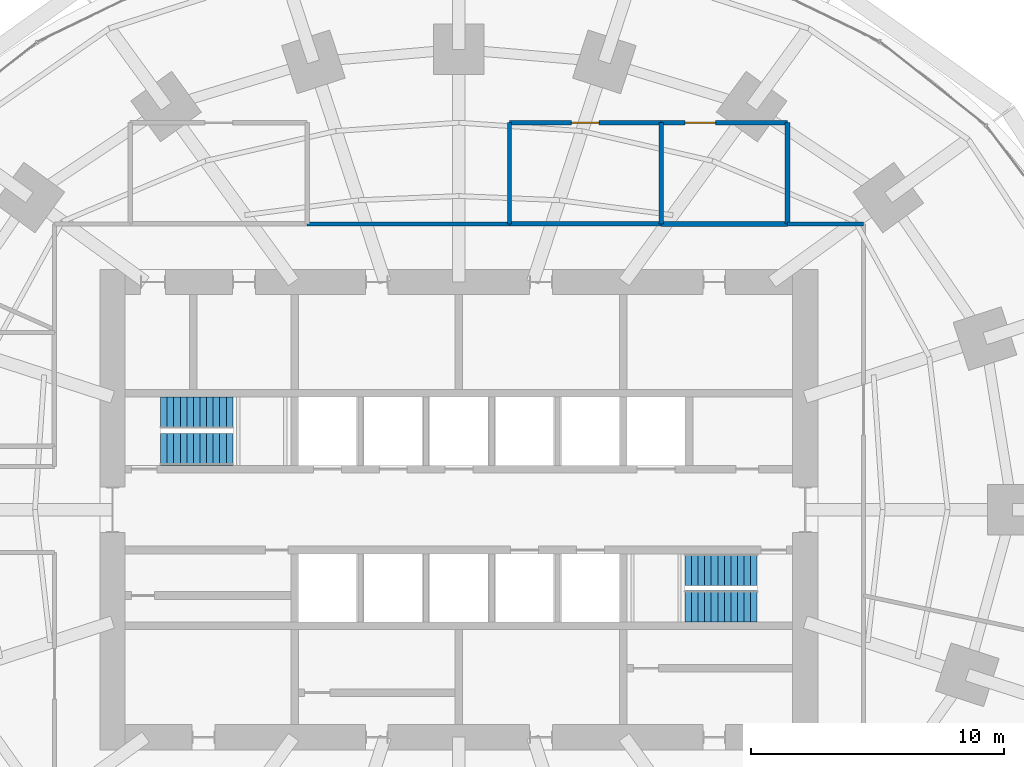
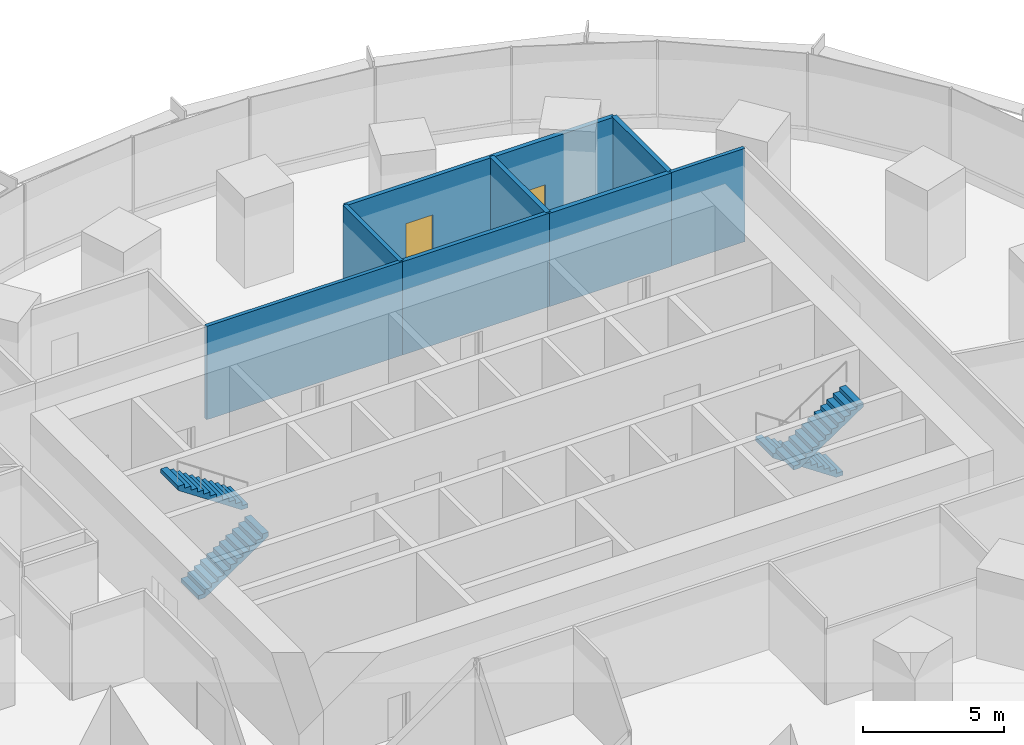
# One storey, part 13 of 15: 9 walls, 4 stair flights, 2 doors, 2 openings, 2 elements without a shape of their own.
"""IFC4 building model written with IfcOpenShell, lengths in metres."""

from ifc_helpers import new_model, si_unit, direction, frame, frame_2d, origin, place, context, subcontext, project, spatial, polyline, rectangle, outline, extrude, material, layer, layer_set, type_object, element, fill, aggregate, save


model = new_model("IFC4")

# Units and contexts
model_context = context("Model", 3, precision=1e-05, world=origin(), true_north=direction((0.0, 1.0)))
body_context = subcontext(model_context, "Body", "Model", "MODEL_VIEW")
ifc_project = project(units=[si_unit("LENGTHUNIT", "METRE"), si_unit("AREAUNIT", "SQUARE_METRE"), si_unit("VOLUMEUNIT", "CUBIC_METRE"), si_unit("PLANEANGLEUNIT", "RADIAN"), si_unit("MASSUNIT", "GRAM", prefix="KILO")], contexts=[model_context])

# Site, building, storey
site_placement = place(None, origin())
site = spatial("IfcSite", under=ifc_project, at=site_placement, CompositionType="ELEMENT")
building_placement = place(site_placement, origin())
building = spatial("IfcBuilding", under=site, at=building_placement, Name="Marramba Exchange Tower", CompositionType="ELEMENT")
storey_placement = place(building_placement, frame((0.0, 0.0, 40.60009765625)))
storey = spatial("IfcBuildingStorey", under=building, at=storey_placement, Name="L09", CompositionType="ELEMENT", Elevation=40.60009765625)

# Wall
ifc_material_1 = material(Name="Plasterboard on staggered double steel studs, acoustic insulation", Category="steel")
ifc_layer_1 = layer(ifc_material_1, 0.169921875)
ifc_layer_set_1 = layer_set([ifc_layer_1], Name="Acoustic partition 170")
wall_type_1 = type_object("IfcWallType", Name="Acoustic partition 170", PredefinedType="PARTITIONING", material=ifc_layer_set_1)
wall_1_placement = place(storey_placement, frame((2.0, 11.300048828125, 0.0), z_axis=(0.0, 0.0, 1.0), x_axis=(1.0, 0.0, 0.0)))
element("IfcWall", 1, at=wall_1_placement, inside=storey, type_object=wall_type_1, Name="Acoustic partition L09 21", PredefinedType="PARTITIONING", context=body_context, shape_type="SweptSolid", body=[
    extrude(rectangle(XDim=6.0, YDim=0.169921875, at=frame_2d((3.0, 0.0))), origin(), (0.0, 0.0, 1.0), 4.039794921875),
])

# Wall, opening, door
wall_2_placement = place(storey_placement, frame((8.0, 15.300048828125, 0.0), z_axis=(0.0, 0.0, 1.0), x_axis=(-1.0, 0.0, 0.0)))
wall_2 = element("IfcWall", 2, at=wall_2_placement, inside=storey, type_object=wall_type_1, Name="Acoustic partition L09 22", PredefinedType="PARTITIONING", context=body_context, shape_type="SweptSolid", body=[
    extrude(rectangle(XDim=6.0, YDim=0.169921875, at=frame_2d((3.0, 0.0))), origin(), (0.0, 0.0, 1.0), 4.039794921875),
])
opening_1_placement = place(wall_2_placement, frame((2.449951171875, 0.0, 0.0)))
opening_1 = element("IfcOpeningElement", 3, at=opening_1_placement, cuts=wall_2, Name="Opening D15", PredefinedType="OPENING", context=body_context, shape_type="SweptSolid", body=[
    extrude(rectangle(XDim=1.10009765625, YDim=2.39990234375, at=frame_2d((0.550048828125, 1.199951171875))), frame((0.0, 0.094970703125, 0.0), z_axis=(0.0, -1.0, 0.0), x_axis=(1.0, 0.0, 0.0)), (0.0, 0.0, 1.0), 0.18994140625),
])
ifc_material_2 = material(Name="Timber door", Category="wood")
door_type_1 = type_object("IfcDoorType", Name="Glazed meeting room door 1100x2400", OperationType="SINGLE_SWING_LEFT", PredefinedType="DOOR", material=ifc_material_2)
door_1_placement = place(opening_1_placement, origin())
door_1 = element("IfcDoor", 4, at=door_1_placement, inside=storey, type_object=door_type_1, Name="D15 Meeting Room 1 L09", OperationType="SINGLE_SWING_RIGHT", OverallHeight=2.39990234375, OverallWidth=1.10009765625, PredefinedType="DOOR", context=body_context, shape_type="SweptSolid", body=[
    extrude(rectangle(XDim=1.10009765625, YDim=2.39990234375, at=frame_2d((0.550048828125, 1.199951171875))), frame((0.0, 0.02490234375, 0.0), z_axis=(0.0, -1.0, 0.0), x_axis=(1.0, 0.0, 0.0)), (0.0, 0.0, 1.0), 0.050048828125),
])
fill(opening_1, door_1)

# Walls
wall_3_placement = place(storey_placement, frame((2.0, 15.300048828125, 0.0), z_axis=(0.0, 0.0, 1.0), x_axis=(0.0, -1.0, 0.0)))
element("IfcWall", 5, at=wall_3_placement, inside=storey, type_object=wall_type_1, Name="Acoustic partition L09 23", PredefinedType="PARTITIONING", context=body_context, shape_type="SweptSolid", body=[
    extrude(rectangle(XDim=4.0, YDim=0.169921875, at=frame_2d((2.0, 0.0))), origin(), (0.0, 0.0, 1.0), 4.039794921875),
])
ifc_material_3 = material(Name="Core-filled concrete blockwork, rendered", Category="masonry")
ifc_layer_2 = layer(ifc_material_3, 0.18994140625)
ifc_layer_set_2 = layer_set([ifc_layer_2], Name="Equipment room wall 190")
wall_type_2 = type_object("IfcWallType", Name="Equipment room wall 190", PredefinedType="SOLIDWALL", material=ifc_layer_set_2)
wall_4_placement = place(storey_placement, frame((13.0, 11.300048828125, 0.0), z_axis=(0.0, 0.0, 1.0), x_axis=(0.0, 1.0, 0.0)))
element("IfcWall", 6, at=wall_4_placement, inside=storey, type_object=wall_type_2, Name="Equipment room wall L09 17", PredefinedType="SOLIDWALL", context=body_context, shape_type="SweptSolid", body=[
    extrude(rectangle(XDim=4.0, YDim=0.18994140625, at=frame_2d((2.0, 0.0))), origin(), (0.0, 0.0, 1.0), 4.039794921875),
])
wall_5_placement = place(storey_placement, frame((8.0, 11.300048828125, 0.0), z_axis=(0.0, 0.0, 1.0), x_axis=(1.0, 0.0, 0.0)))
element("IfcWall", 7, at=wall_5_placement, inside=storey, type_object=wall_type_2, Name="Equipment room wall L09 18", PredefinedType="SOLIDWALL", context=body_context, shape_type="SweptSolid", body=[
    extrude(rectangle(XDim=5.0, YDim=0.18994140625, at=frame_2d((2.5, 0.0))), origin(), (0.0, 0.0, 1.0), 4.039794921875),
])

# Wall, opening, door
wall_6_placement = place(storey_placement, frame((13.0, 15.300048828125, 0.0), z_axis=(0.0, 0.0, 1.0), x_axis=(-1.0, 0.0, 0.0)))
wall_6 = element("IfcWall", 8, at=wall_6_placement, inside=storey, type_object=wall_type_2, Name="Equipment room wall L09 19", PredefinedType="SOLIDWALL", context=body_context, shape_type="SweptSolid", body=[
    extrude(rectangle(XDim=5.0, YDim=0.18994140625, at=frame_2d((2.5, 0.0))), origin(), (0.0, 0.0, 1.0), 4.039794921875),
])
opening_2_placement = place(wall_6_placement, frame((2.85009765625, 0.0, 0.0)))
opening_2 = element("IfcOpeningElement", 9, at=opening_2_placement, cuts=wall_6, Name="Opening D16", PredefinedType="OPENING", context=body_context, shape_type="SweptSolid", body=[
    extrude(rectangle(XDim=1.199951171875, YDim=2.10009765625, at=frame_2d((0.60009765625, 1.050048828125))), frame((0.0, 0.10498046875, 0.0), z_axis=(0.0, -1.0, 0.0), x_axis=(1.0, 0.0, 0.0)), (0.0, 0.0, 1.0), 0.2099609375),
])
ifc_material_4 = material(Name="Steel-framed door", Category="steel")
door_type_2 = type_object("IfcDoorType", Name="Equipment room door 1200x2100", OperationType="SINGLE_SWING_LEFT", PredefinedType="DOOR", material=ifc_material_4)
door_2_placement = place(opening_2_placement, origin())
door_2 = element("IfcDoor", 10, at=door_2_placement, inside=storey, type_object=door_type_2, Name="D16 Data Room 1 L09", OperationType="SINGLE_SWING_RIGHT", OverallHeight=2.10009765625, OverallWidth=1.199951171875, PredefinedType="DOOR", context=body_context, shape_type="SweptSolid", body=[
    extrude(rectangle(XDim=1.199951171875, YDim=2.10009765625, at=frame_2d((0.60009765625, 1.050048828125))), frame((0.0, 0.02490234375, 0.0), z_axis=(0.0, -1.0, 0.0), x_axis=(1.0, 0.0, 0.0)), (0.0, 0.0, 1.0), 0.050048828125),
])
fill(opening_2, door_2)

# Walls
wall_7_placement = place(storey_placement, frame((8.0, 15.300048828125, 0.0), z_axis=(0.0, 0.0, 1.0), x_axis=(0.0, -1.0, 0.0)))
element("IfcWall", 11, at=wall_7_placement, inside=storey, type_object=wall_type_2, Name="Equipment room wall L09 20", PredefinedType="SOLIDWALL", context=body_context, shape_type="SweptSolid", body=[
    extrude(rectangle(XDim=4.0, YDim=0.18994140625, at=frame_2d((2.0, 0.0))), origin(), (0.0, 0.0, 1.0), 4.039794921875),
])
ifc_material_5 = material(Name="Fire-rated plasterboard on steel studs, acoustic insulation", Category="steel")
ifc_layer_3 = layer(ifc_material_5, 0.14990234375)
ifc_layer_set_3 = layer_set([ifc_layer_3], Name="Tenancy wall 150")
wall_type_3 = type_object("IfcWallType", Name="Tenancy wall 150", PredefinedType="PARTITIONING", material=ifc_layer_set_3)
wall_8_placement = place(storey_placement, frame((16.0, 11.300048828125, 0.0), z_axis=(0.0, 0.0, 1.0), x_axis=(-1.0, 0.0, 0.0)))
element("IfcWall", 12, at=wall_8_placement, inside=storey, type_object=wall_type_3, Name="Tenancy wall L09 16", PredefinedType="PARTITIONING", context=body_context, shape_type="SweptSolid", body=[
    extrude(rectangle(XDim=3.0, YDim=0.14990234375, at=frame_2d((1.5, 0.0))), origin(), (0.0, 0.0, 1.0), 4.039794921875),
])
wall_9_placement = place(storey_placement, frame((2.0, 11.300048828125, 0.0), z_axis=(0.0, 0.0, 1.0), x_axis=(-1.0, 0.0, 0.0)))
element("IfcWall", 13, at=wall_9_placement, inside=storey, type_object=wall_type_3, Name="Tenancy wall L09 24", PredefinedType="PARTITIONING", context=body_context, shape_type="SweptSolid", body=[
    extrude(rectangle(XDim=8.0, YDim=0.14990234375, at=frame_2d((4.0, 0.0))), origin(), (0.0, 0.0, 1.0), 4.039794921875),
])

# Stair, stair flights
ifc_material_6 = material(Name="Concrete N40 (40 MPa)", Category="concrete")
stair_type_1 = type_object("IfcStairType", Name="Exit stair ST1 4200 x 1250", PredefinedType="HALF_TURN_STAIR", material=ifc_material_6)
stair_1_placement = place(storey_placement, origin())
stair_1 = element("IfcStair", 14, at=stair_1_placement, inside=storey, type_object=stair_type_1, Name="Exit stair ST1 L09", PredefinedType="HALF_TURN_STAIR")
stair_flight_type_1 = type_object("IfcStairFlightType", Name="ST1 stair flight 1750 riser 1250 wide", PredefinedType="STRAIGHT", material=ifc_material_6)
stair_flight_1_placement = place(storey_placement, frame((-11.800048828125, 2.375, 0.0), z_axis=(0.0, 0.0, 1.0), x_axis=(1.0, 0.0, 0.0)))
stair_flight_1 = element("IfcStairFlight", 15, at=stair_flight_1_placement, type_object=stair_flight_type_1, Name="ST1 flight 1", NumberOfRisers=12, NumberOfTreads=11, PredefinedType="STRAIGHT", RiserHeight=0.175, TreadLength=0.26, context=body_context, shape_type="SweptSolid", body=[
    extrude(outline(polyline([(0.0, 0.0), (0.0, 0.175048828125), (0.260009765625, 0.175048828125), (0.260009765625, 0.35009765625), (0.52001953125, 0.35009765625), (0.52001953125, 0.52490234375), (0.780029296875, 0.52490234375), (0.780029296875, 0.699951171875), (1.0400390625, 0.699951171875), (1.0400390625, 0.875), (1.300048828125, 0.875), (1.300048828125, 1.050048828125), (1.56005859375, 1.050048828125), (1.56005859375, 1.22509765625), (1.820068359375, 1.22509765625), (1.820068359375, 1.39990234375), (2.080078125, 1.39990234375), (2.080078125, 1.574951171875), (2.340087890625, 1.574951171875), (2.340087890625, 1.75), (2.60009765625, 1.75), (2.60009765625, 1.925048828125), (2.860107421875, 1.925048828125), (2.860107421875, 2.10009765625), (2.860107421875, 1.744384765625), (0.2685546875, 0.0), (0.0, 0.0)])), frame((0.0, 0.625, 0.0), z_axis=(0.0, -1.0, 0.0), x_axis=(1.0, 0.0, 0.0)), (0.0, 0.0, 1.0), 1.25),
])
stair_flight_2_placement = place(storey_placement, frame((-8.93994140625, 3.824951171875, 2.099853515625), z_axis=(0.0, 0.0, 1.0), x_axis=(-1.0, 0.0, 0.0)))
stair_flight_2 = element("IfcStairFlight", 16, at=stair_flight_2_placement, type_object=stair_flight_type_1, Name="ST1 flight 2", NumberOfRisers=12, NumberOfTreads=11, PredefinedType="STRAIGHT", RiserHeight=0.175, TreadLength=0.26, context=body_context, shape_type="SweptSolid", body=[
    extrude(outline(polyline([(0.0, 0.0), (0.0, 0.175048828125), (0.260009765625, 0.175048828125), (0.260009765625, 0.35009765625), (0.52001953125, 0.35009765625), (0.52001953125, 0.52490234375), (0.780029296875, 0.52490234375), (0.780029296875, 0.699951171875), (1.0400390625, 0.699951171875), (1.0400390625, 0.875), (1.300048828125, 0.875), (1.300048828125, 1.050048828125), (1.56005859375, 1.050048828125), (1.56005859375, 1.22509765625), (1.820068359375, 1.22509765625), (1.820068359375, 1.39990234375), (2.080078125, 1.39990234375), (2.080078125, 1.574951171875), (2.340087890625, 1.574951171875), (2.340087890625, 1.75), (2.60009765625, 1.75), (2.60009765625, 1.925048828125), (2.860107421875, 1.925048828125), (2.860107421875, 2.10009765625), (2.860107421875, 1.744384765625), (0.2685546875, 0.0), (0.0, 0.0)])), frame((0.0, 0.625, 0.0), z_axis=(0.0, -1.0, 0.0), x_axis=(1.0, 0.0, 0.0)), (0.0, 0.0, 1.0), 1.25),
])
aggregate(stair_1, [stair_flight_1, stair_flight_2])

stair_type_2 = type_object("IfcStairType", Name="Exit stair ST2 4200 x 1250", PredefinedType="HALF_TURN_STAIR", material=ifc_material_6)
stair_2_placement = place(storey_placement, origin())
stair_2 = element("IfcStair", 17, at=stair_2_placement, inside=storey, type_object=stair_type_2, Name="Exit stair ST2 L09", PredefinedType="HALF_TURN_STAIR")
stair_flight_type_2 = type_object("IfcStairFlightType", Name="ST2 stair flight 1750 riser 1250 wide", PredefinedType="STRAIGHT", material=ifc_material_6)
stair_flight_3_placement = place(storey_placement, frame((11.800048828125, -2.375, 0.0), z_axis=(0.0, 0.0, 1.0), x_axis=(-1.0, 0.0, 0.0)))
stair_flight_3 = element("IfcStairFlight", 18, at=stair_flight_3_placement, type_object=stair_flight_type_2, Name="ST2 flight 1", NumberOfRisers=12, NumberOfTreads=11, PredefinedType="STRAIGHT", RiserHeight=0.175, TreadLength=0.26, context=body_context, shape_type="SweptSolid", body=[
    extrude(outline(polyline([(0.0, 0.0), (0.0, 0.175048828125), (0.260009765625, 0.175048828125), (0.260009765625, 0.35009765625), (0.52001953125, 0.35009765625), (0.52001953125, 0.52490234375), (0.780029296875, 0.52490234375), (0.780029296875, 0.699951171875), (1.0400390625, 0.699951171875), (1.0400390625, 0.875), (1.300048828125, 0.875), (1.300048828125, 1.050048828125), (1.56005859375, 1.050048828125), (1.56005859375, 1.22509765625), (1.820068359375, 1.22509765625), (1.820068359375, 1.39990234375), (2.080078125, 1.39990234375), (2.080078125, 1.574951171875), (2.340087890625, 1.574951171875), (2.340087890625, 1.75), (2.60009765625, 1.75), (2.60009765625, 1.925048828125), (2.860107421875, 1.925048828125), (2.860107421875, 2.10009765625), (2.860107421875, 1.744384765625), (0.2685546875, 0.0), (0.0, 0.0)])), frame((0.0, 0.625, 0.0), z_axis=(0.0, -1.0, 0.0), x_axis=(1.0, 0.0, 0.0)), (0.0, 0.0, 1.0), 1.25),
])
stair_flight_4_placement = place(storey_placement, frame((8.93994140625, -3.824951171875, 2.099853515625), z_axis=(0.0, 0.0, 1.0), x_axis=(1.0, 0.0, 0.0)))
stair_flight_4 = element("IfcStairFlight", 19, at=stair_flight_4_placement, type_object=stair_flight_type_2, Name="ST2 flight 2", NumberOfRisers=12, NumberOfTreads=11, PredefinedType="STRAIGHT", RiserHeight=0.175, TreadLength=0.26, context=body_context, shape_type="SweptSolid", body=[
    extrude(outline(polyline([(0.0, 0.0), (0.0, 0.175048828125), (0.260009765625, 0.175048828125), (0.260009765625, 0.35009765625), (0.52001953125, 0.35009765625), (0.52001953125, 0.52490234375), (0.780029296875, 0.52490234375), (0.780029296875, 0.699951171875), (1.0400390625, 0.699951171875), (1.0400390625, 0.875), (1.300048828125, 0.875), (1.300048828125, 1.050048828125), (1.56005859375, 1.050048828125), (1.56005859375, 1.22509765625), (1.820068359375, 1.22509765625), (1.820068359375, 1.39990234375), (2.080078125, 1.39990234375), (2.080078125, 1.574951171875), (2.340087890625, 1.574951171875), (2.340087890625, 1.75), (2.60009765625, 1.75), (2.60009765625, 1.925048828125), (2.860107421875, 1.925048828125), (2.860107421875, 2.10009765625), (2.860107421875, 1.744384765625), (0.2685546875, 0.0), (0.0, 0.0)])), frame((0.0, 0.625, 0.0), z_axis=(0.0, -1.0, 0.0), x_axis=(1.0, 0.0, 0.0)), (0.0, 0.0, 1.0), 1.25),
])
aggregate(stair_2, [stair_flight_3, stair_flight_4])

save(model, "model.ifc")
